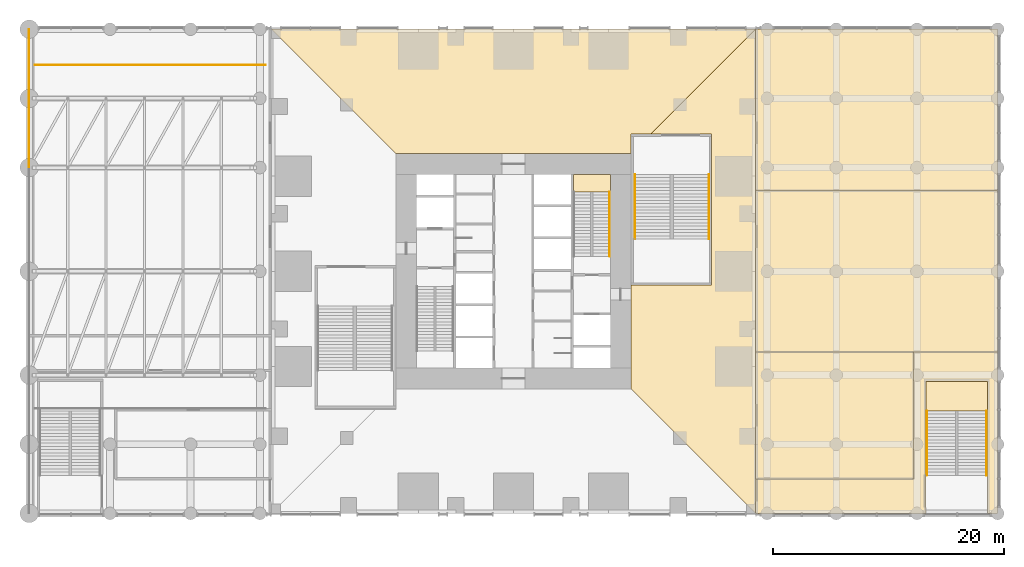
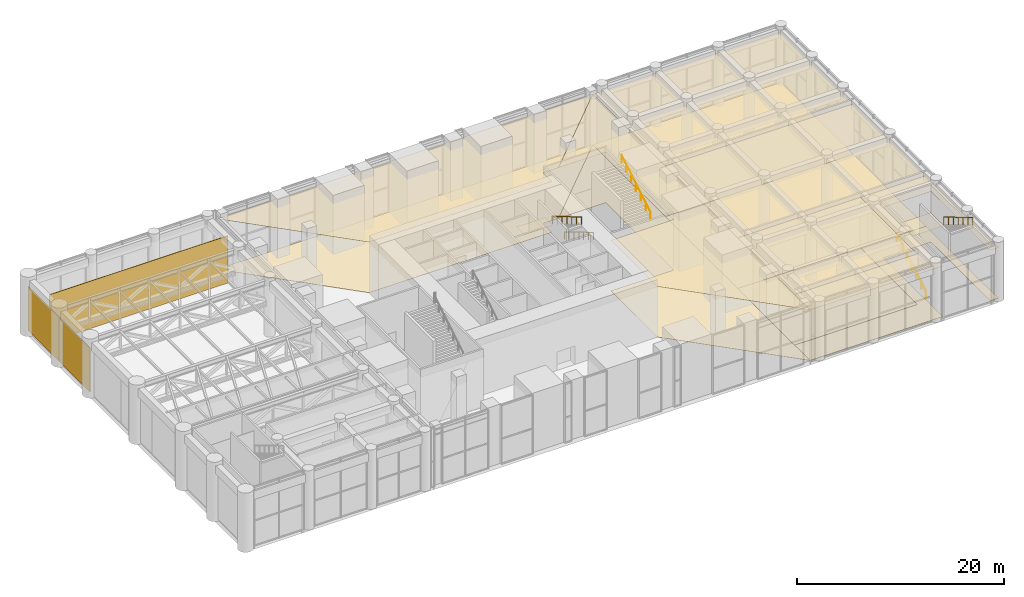
# One storey, part 30 of 30: 17 coverings, 5 railings.
"""IFC4 building model written with IfcOpenShell, lengths in metres."""

from ifc_helpers import new_model, si_unit, direction, frame, origin, origin_2d, place, context, subcontext, project, spatial, polyline, rectangle, circle, outline, extrude, material, layer, layer_set, type_object, element, save


model = new_model("IFC4")

# Units and contexts
model_context = context("Model", 3, precision=1e-05, world=origin(), true_north=direction((0.0, 1.0)))
body_context = subcontext(model_context, "Body", "Model", "MODEL_VIEW")
ifc_project = project(units=[si_unit("LENGTHUNIT", "METRE"), si_unit("AREAUNIT", "SQUARE_METRE"), si_unit("VOLUMEUNIT", "CUBIC_METRE"), si_unit("PLANEANGLEUNIT", "RADIAN"), si_unit("MASSUNIT", "GRAM", prefix="KILO")], contexts=[model_context])

# Site, building, storey
site_placement = place(None, origin())
site = spatial("IfcSite", under=ifc_project, at=site_placement, CompositionType="ELEMENT")
building_placement = place(site_placement, origin())
building = spatial("IfcBuilding", under=site, at=building_placement, Name="Svetlomir Tower", CompositionType="ELEMENT")
storey_placement = place(building_placement, frame((0.0, 0.0, 11.0)))
storey = spatial("IfcBuildingStorey", under=building, at=storey_placement, Name="L02", CompositionType="ELEMENT", Elevation=11.0)

# Coverings
ifc_material_1 = material(Name="Perforated timber acoustic panel", Category="wood")
ifc_layer_1 = layer(ifc_material_1, 0.0400390625)
ifc_layer_set_1 = layer_set([ifc_layer_1], Name="Perforated timber acoustic panel")
covering_type_1 = type_object("IfcCoveringType", Name="ACOUSTIC CEILING 40", PredefinedType="CEILING", material=ifc_layer_set_1)
covering_1_placement = place(storey_placement, frame((0.0, 0.0, 5.9599609375)))
element("IfcCovering", 1, at=covering_1_placement, inside=storey, type_object=covering_type_1, Name="Ceiling L02-16", PredefinedType="CEILING", context=body_context, shape_type="SweptSolid", body=[
    extrude(outline(polyline([(42.0, 3.0), (55.699951171875, 3.0), (55.699951171875, 14.0), (42.0, 14.0), (42.0, 3.0)])), origin(), (0.0, 0.0, 1.0), 0.0400390625),
])
covering_2_placement = place(storey_placement, frame((0.0, 0.0, 5.9599609375)))
element("IfcCovering", 2, at=covering_2_placement, inside=storey, type_object=covering_type_1, Name="Ceiling L02-17", PredefinedType="CEILING", context=body_context, shape_type="SweptSolid", body=[
    extrude(outline(polyline([(42.0, 14.0), (63.0, 14.0), (63.0, 28.0), (42.0, 28.0), (42.0, 14.0)])), origin(), (0.0, 0.0, 1.0), 0.0400390625),
])
covering_3_placement = place(storey_placement, frame((0.0, 0.0, 5.9599609375)))
element("IfcCovering", 3, at=covering_3_placement, inside=storey, type_object=covering_type_1, Name="Ceiling L02-18", PredefinedType="CEILING", context=body_context, shape_type="SweptSolid", body=[
    extrude(outline(polyline([(42.0, 28.0), (63.0, 28.0), (63.0, 42.0), (42.0, 42.0), (42.0, 28.0)])), origin(), (0.0, 0.0, 1.0), 0.0400390625),
])
ifc_material_2 = material(Name="Perforated oak acoustic panel", Category="wood")
ifc_layer_2 = layer(ifc_material_2, 0.0400390625)
ifc_layer_set_2 = layer_set([ifc_layer_2], Name="Perforated oak acoustic panel")
covering_type_2 = type_object("IfcCoveringType", Name="ACOUSTIC WALL LINING 40", PredefinedType="CLADDING", material=ifc_layer_set_2)
covering_4_placement = place(storey_placement, frame((-10.5, 38.8798828125, 0.5), z_axis=(0.0, 0.0, 1.0), x_axis=(1.0, 0.0, 0.0)))
element("IfcCovering", 4, at=covering_4_placement, inside=storey, type_object=covering_type_2, Name="Auditorium acoustic lining 2", PredefinedType="CLADDING", context=body_context, shape_type="SweptSolid", body=[
    extrude(rectangle(XDim=20.0, YDim=0.0400390625, at=origin_2d()), origin(), (0.0, 0.0, 1.0), 5.60009765625),
])

# Railings
ifc_material_3 = material(Name="Stainless steel", Category="steel")
railing_type = type_object("IfcRailingType", Name="HANDRAIL HR1 900", PredefinedType="HANDRAIL", material=ifc_material_3)
for number, where, name in (
    (5, (29.35009765625, 27.89990234375, 3.666748046875), "Handrail S2 flight 2 L02"),
    (6, (31.550048828125, 29.39990234375, 0.166748046875), "Handrail P2 flight 1 L02"),
):
    element("IfcRailing", number, at=place(storey_placement, frame(where)), inside=storey, type_object=railing_type, Name=name, PredefinedType="HANDRAIL", context=body_context, shape_type="SweptSolid", body=[
        extrude(circle(Radius=0.02392578125, at=origin_2d()), frame((0.0, 0.0, 0.8759765625), z_axis=(0.0, -0.859292492371, 0.511484518392), x_axis=(1.0, 0.0, 0.0)), (0.0, 0.0, 1.0), 6.516845703125),
        extrude(circle(Radius=0.02099609375, at=origin_2d()), origin(), (0.0, 0.0, 1.0), 0.851806640625),
        extrude(circle(Radius=0.02099609375, at=origin_2d()), frame((0.0, -0.933349609375, 0.5556640625)), (0.0, 0.0, 1.0), 0.851806640625),
        extrude(circle(Radius=0.02099609375, at=origin_2d()), frame((0.0, -1.86669921875, 1.111083984375)), (0.0, 0.0, 1.0), 0.851806640625),
        extrude(circle(Radius=0.02099609375, at=origin_2d()), frame((0.0, -2.7998046875, 1.66650390625)), (0.0, 0.0, 1.0), 0.851806640625),
        extrude(circle(Radius=0.02099609375, at=origin_2d()), frame((0.0, -3.733154296875, 2.22216796875)), (0.0, 0.0, 1.0), 0.851806640625),
        extrude(circle(Radius=0.02099609375, at=origin_2d()), frame((0.0, -4.66650390625, 2.77783203125)), (0.0, 0.0, 1.0), 0.851806640625),
        extrude(circle(Radius=0.02099609375, at=origin_2d()), frame((0.0, -5.599853515625, 3.333251953125)), (0.0, 0.0, 1.0), 0.851806640625),
    ])
for number, where, name in (
    (7, (37.949951171875, 23.800048828125, 3.666748046875), "Handrail P2 flight 2 L02"),
    (8, (56.85009765625, 3.300048828125, 0.166748046875), "Handrail P4 flight 1 L02"),
):
    element("IfcRailing", number, at=place(storey_placement, frame(where)), inside=storey, type_object=railing_type, Name=name, PredefinedType="HANDRAIL", context=body_context, shape_type="SweptSolid", body=[
        extrude(circle(Radius=0.02392578125, at=origin_2d()), frame((0.0, 0.0, 0.8759765625), z_axis=(0.0, 0.859292492371, 0.511484518392), x_axis=(-1.0, 0.0, 0.0)), (0.0, 0.0, 1.0), 6.516845703125),
        extrude(circle(Radius=0.02099609375, at=origin_2d()), origin(), (0.0, 0.0, 1.0), 0.851806640625),
        extrude(circle(Radius=0.02099609375, at=origin_2d()), frame((0.0, 0.933349609375, 0.5556640625)), (0.0, 0.0, 1.0), 0.851806640625),
        extrude(circle(Radius=0.02099609375, at=origin_2d()), frame((0.0, 1.86669921875, 1.111083984375)), (0.0, 0.0, 1.0), 0.851806640625),
        extrude(circle(Radius=0.02099609375, at=origin_2d()), frame((0.0, 2.7998046875, 1.66650390625)), (0.0, 0.0, 1.0), 0.851806640625),
        extrude(circle(Radius=0.02099609375, at=origin_2d()), frame((0.0, 3.733154296875, 2.22216796875)), (0.0, 0.0, 1.0), 0.851806640625),
        extrude(circle(Radius=0.02099609375, at=origin_2d()), frame((0.0, 4.66650390625, 2.77783203125)), (0.0, 0.0, 1.0), 0.851806640625),
        extrude(circle(Radius=0.02099609375, at=origin_2d()), frame((0.0, 5.599853515625, 3.333251953125)), (0.0, 0.0, 1.0), 0.851806640625),
    ])
railing_placement = place(storey_placement, frame((62.050048828125, 8.89990234375, 3.666748046875)))
element("IfcRailing", 9, at=railing_placement, inside=storey, type_object=railing_type, Name="Handrail P4 flight 2 L02", PredefinedType="HANDRAIL", context=body_context, shape_type="SweptSolid", body=[
    extrude(circle(Radius=0.02392578125, at=origin_2d()), frame((0.0, 0.0, 0.8759765625), z_axis=(0.0, -0.859292492371, 0.511484518392), x_axis=(1.0, 0.0, 0.0)), (0.0, 0.0, 1.0), 6.516845703125),
    extrude(circle(Radius=0.02099609375, at=origin_2d()), origin(), (0.0, 0.0, 1.0), 0.851806640625),
    extrude(circle(Radius=0.02099609375, at=origin_2d()), frame((0.0, -0.933349609375, 0.5556640625)), (0.0, 0.0, 1.0), 0.851806640625),
    extrude(circle(Radius=0.02099609375, at=origin_2d()), frame((0.0, -1.86669921875, 1.111083984375)), (0.0, 0.0, 1.0), 0.851806640625),
    extrude(circle(Radius=0.02099609375, at=origin_2d()), frame((0.0, -2.7998046875, 1.66650390625)), (0.0, 0.0, 1.0), 0.851806640625),
    extrude(circle(Radius=0.02099609375, at=origin_2d()), frame((0.0, -3.733154296875, 2.22216796875)), (0.0, 0.0, 1.0), 0.851806640625),
    extrude(circle(Radius=0.02099609375, at=origin_2d()), frame((0.0, -4.66650390625, 2.77783203125)), (0.0, 0.0, 1.0), 0.851806640625),
    extrude(circle(Radius=0.02099609375, at=origin_2d()), frame((0.0, -5.599853515625, 3.333251953125)), (0.0, 0.0, 1.0), 0.851806640625),
])

# Coverings
ifc_material_4 = material(Name="Bronze and smalt glass mosaic on precast backing", Category="concrete")
ifc_layer_3 = layer(ifc_material_4, 0.050048828125)
ifc_layer_set_3 = layer_set([ifc_layer_3], Name="Bronze and smalt glass mosaic on precast backing")
covering_type_3 = type_object("IfcCoveringType", Name="MOSAIC CLADDING PANEL 50", PredefinedType="CLADDING", material=ifc_layer_set_3)
for number, where, z_axis, x_axis, name in (
    (10, (-21.02490234375, 39.0, 0.2001953125), (0.0, 0.0, 1.0), (1.0, 0.0, 0.0), "Mosaic panel 1"),
    (11, (-21.02490234375, 33.0, 0.2001953125), (0.0, 0.0, 1.0), (1.0, 0.0, 0.0), "Mosaic panel 2"),
):
    element("IfcCovering", number, at=place(storey_placement, frame(where, z_axis=z_axis, x_axis=x_axis)), inside=storey, type_object=covering_type_3, Name=name, PredefinedType="CLADDING", context=body_context, shape_type="SweptSolid", body=[
        extrude(rectangle(XDim=0.050048828125, YDim=5.97998046875, at=origin_2d()), origin(), (0.0, 0.0, 1.0), 5.199951171875),
    ])
ifc_material_5 = material(Name="Gypsum plasterboard ceiling", Category="gypsum")
ifc_layer_4 = layer(ifc_material_5, 0.014892578125)
ifc_layer_set_4 = layer_set([ifc_layer_4], Name="Gypsum plasterboard ceiling")
covering_type_4 = type_object("IfcCoveringType", Name="PLASTERBOARD CEILING 15", PredefinedType="CEILING", material=ifc_layer_set_4)
covering_5_placement = place(storey_placement, frame((0.0, 0.0, 5.985107421875)))
element("IfcCovering", 12, at=covering_5_placement, inside=storey, type_object=covering_type_4, Name="Ceiling L02-25", PredefinedType="CEILING", context=body_context, shape_type="SweptSolid", body=[
    extrude(outline(polyline([(42.0, 0.0), (31.199951171875, 10.800048828125), (31.199951171875, 19.800048828125), (38.199951171875, 19.800048828125), (38.199951171875, 32.89990234375), (32.89990234375, 32.89990234375), (42.0, 42.0), (42.0, 0.0)])), origin(), (0.0, 0.0, 1.0), 0.014892578125),
])
covering_6_placement = place(storey_placement, frame((0.0, 0.0, 5.985107421875)))
element("IfcCovering", 13, at=covering_6_placement, inside=storey, type_object=covering_type_4, Name="Ceiling L02-26", PredefinedType="CEILING", context=body_context, shape_type="SweptSolid", body=[
    extrude(outline(polyline([(42.0, 42.0), (32.89990234375, 32.89990234375), (31.199951171875, 32.89990234375), (31.199951171875, 31.199951171875), (10.800048828125, 31.199951171875), (0.0, 42.0), (42.0, 42.0)])), origin(), (0.0, 0.0, 1.0), 0.014892578125),
])
covering_7_placement = place(storey_placement, frame((0.0, 0.0, 5.985107421875)))
element("IfcCovering", 14, at=covering_7_placement, inside=storey, type_object=covering_type_4, Name="Ceiling L02-28", PredefinedType="CEILING", context=body_context, shape_type="SweptSolid", body=[
    extrude(outline(polyline([(42.0, 3.0), (55.699951171875, 3.0), (55.699951171875, 14.0), (63.0, 14.0), (63.0, 0.0), (62.10009765625, 0.0), (62.10009765625, 11.449951171875), (56.800048828125, 11.449951171875), (56.800048828125, 0.0), (42.0, 0.0), (42.0, 3.0)])), origin(), (0.0, 0.0, 1.0), 0.014892578125),
])
ifc_material_6 = material(Name="Studded rubber floor finish", Category="rubber")
ifc_layer_5 = layer(ifc_material_6, 0.006103515625)
ifc_layer_set_5 = layer_set([ifc_layer_5], Name="Studded rubber floor finish")
covering_type_5 = type_object("IfcCoveringType", Name="RUBBER LANDING FINISH 6", PredefinedType="FLOORING", material=ifc_layer_set_5)
covering_8_placement = place(storey_placement, frame((0.0, 0.0, 3.5)))
element("IfcCovering", 15, at=covering_8_placement, inside=storey, type_object=covering_type_5, Name="Stair S2 landing finish L02", PredefinedType="FLOORING", context=body_context, shape_type="SweptSolid", body=[
    extrude(outline(polyline([(26.199951171875, 27.89990234375), (29.39990234375, 27.89990234375), (29.39990234375, 29.39990234375), (26.199951171875, 29.39990234375), (26.199951171875, 27.89990234375)])), origin(), (0.0, 0.0, 1.0), 0.006103515625),
])
covering_9_placement = place(storey_placement, frame((0.0, 0.0, 3.5)))
element("IfcCovering", 16, at=covering_9_placement, inside=storey, type_object=covering_type_5, Name="Stair P4 landing finish L02", PredefinedType="FLOORING", context=body_context, shape_type="SweptSolid", body=[
    extrude(outline(polyline([(56.800048828125, 8.89990234375), (62.10009765625, 8.89990234375), (62.10009765625, 11.449951171875), (56.800048828125, 11.449951171875), (56.800048828125, 8.89990234375)])), origin(), (0.0, 0.0, 1.0), 0.006103515625),
])
ifc_material_7 = material(Name="Bronze-aggregate terrazzo", Category="stone")
ifc_layer_6 = layer(ifc_material_7, 0.030029296875)
ifc_layer_set_6 = layer_set([ifc_layer_6], Name="Bronze-aggregate terrazzo")
covering_type_6 = type_object("IfcCoveringType", Name="TERRAZZO FLOOR 30", PredefinedType="FLOORING", material=ifc_layer_set_6)
covering_10_placement = place(storey_placement, origin())
element("IfcCovering", 17, at=covering_10_placement, inside=storey, type_object=covering_type_6, Name="Floor finish L02-16", PredefinedType="FLOORING", context=body_context, shape_type="SweptSolid", body=[
    extrude(outline(polyline([(42.0, 3.0), (55.699951171875, 3.0), (55.699951171875, 14.0), (42.0, 14.0), (42.0, 3.0)])), origin(), (0.0, 0.0, 1.0), 0.030029296875),
])
covering_11_placement = place(storey_placement, origin())
element("IfcCovering", 18, at=covering_11_placement, inside=storey, type_object=covering_type_6, Name="Floor finish L02-17", PredefinedType="FLOORING", context=body_context, shape_type="SweptSolid", body=[
    extrude(outline(polyline([(42.0, 14.0), (63.0, 14.0), (63.0, 28.0), (42.0, 28.0), (42.0, 14.0)])), origin(), (0.0, 0.0, 1.0), 0.030029296875),
])
covering_12_placement = place(storey_placement, origin())
element("IfcCovering", 19, at=covering_12_placement, inside=storey, type_object=covering_type_6, Name="Floor finish L02-18", PredefinedType="FLOORING", context=body_context, shape_type="SweptSolid", body=[
    extrude(outline(polyline([(42.0, 28.0), (63.0, 28.0), (63.0, 42.0), (42.0, 42.0), (42.0, 28.0)])), origin(), (0.0, 0.0, 1.0), 0.030029296875),
])
covering_13_placement = place(storey_placement, origin())
element("IfcCovering", 20, at=covering_13_placement, inside=storey, type_object=covering_type_6, Name="Floor finish L02-25", PredefinedType="FLOORING", context=body_context, shape_type="SweptSolid", body=[
    extrude(outline(polyline([(42.0, 0.0), (31.199951171875, 10.800048828125), (31.199951171875, 19.800048828125), (38.199951171875, 19.800048828125), (38.199951171875, 32.89990234375), (32.89990234375, 32.89990234375), (42.0, 42.0), (42.0, 0.0)])), origin(), (0.0, 0.0, 1.0), 0.030029296875),
])
covering_14_placement = place(storey_placement, origin())
element("IfcCovering", 21, at=covering_14_placement, inside=storey, type_object=covering_type_6, Name="Floor finish L02-26", PredefinedType="FLOORING", context=body_context, shape_type="SweptSolid", body=[
    extrude(outline(polyline([(42.0, 42.0), (32.89990234375, 32.89990234375), (31.199951171875, 32.89990234375), (31.199951171875, 31.199951171875), (10.800048828125, 31.199951171875), (0.0, 42.0), (42.0, 42.0)])), origin(), (0.0, 0.0, 1.0), 0.030029296875),
])
covering_15_placement = place(storey_placement, origin())
element("IfcCovering", 22, at=covering_15_placement, inside=storey, type_object=covering_type_6, Name="Floor finish L02-28", PredefinedType="FLOORING", context=body_context, shape_type="SweptSolid", body=[
    extrude(outline(polyline([(42.0, 3.0), (55.699951171875, 3.0), (55.699951171875, 14.0), (63.0, 14.0), (63.0, 0.0), (62.10009765625, 0.0), (62.10009765625, 11.449951171875), (56.800048828125, 11.449951171875), (56.800048828125, 0.0), (42.0, 0.0), (42.0, 3.0)])), origin(), (0.0, 0.0, 1.0), 0.030029296875),
])

save(model, "model.ifc")
